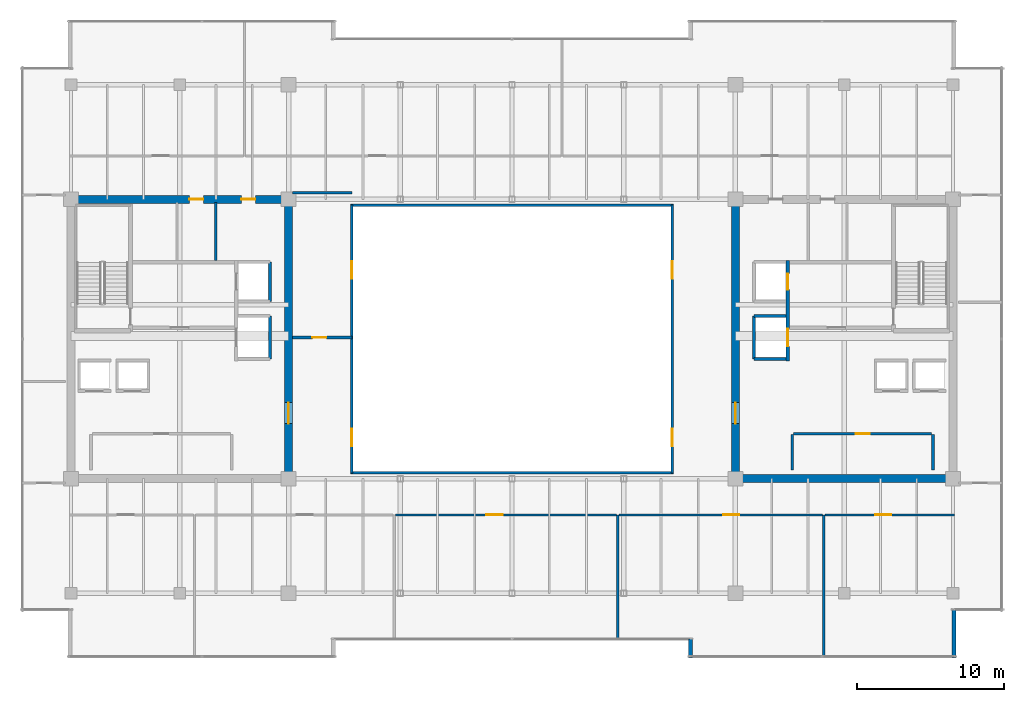
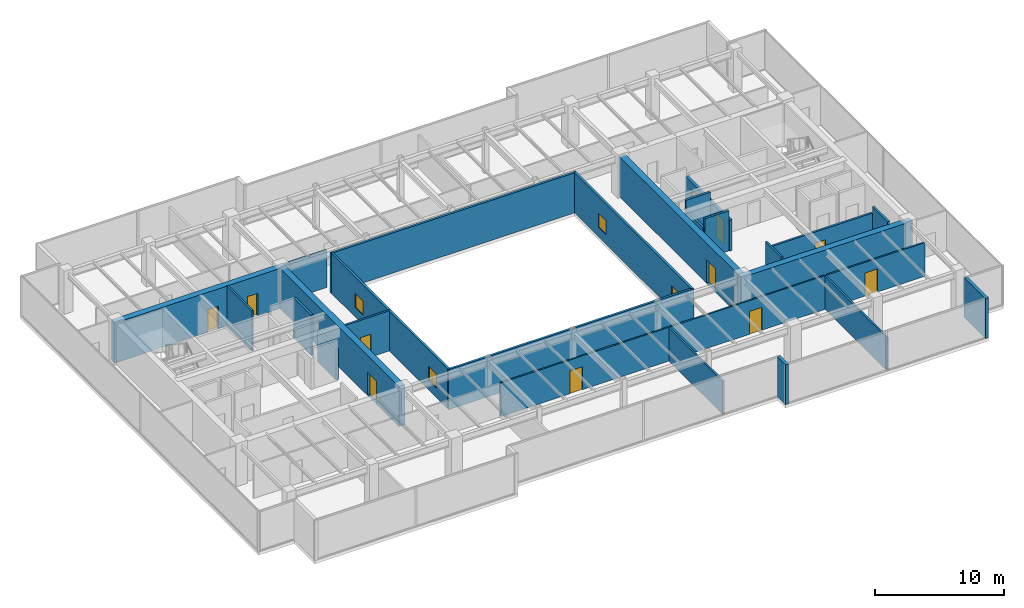
# One storey, part 29 of 33: 27 walls, 11 doors, 4 windows, 15 openings.
"""IFC4 building model written with IfcOpenShell, lengths in metres."""

import ifcopenshell
import ifcopenshell.guid

model = None  # the IFC model being written
_history = None  # IfcOwnerHistory: only IFC2X3 demands one
_inside = {}  # id of a spatial element -> (the spatial element, [elements in it])
_under = {}  # id of a project, library or spatial element -> (it, [spatial elements below it])
_declared = {}  # id of a project -> (the project, [libraries it declares])
_typed = {}  # id of a type object -> (the type object, [elements of that type])
_made_of = {}  # id of a material, layer set ... -> (it, [elements and type objects made of it])


def new_model(schema):
    """Start an empty IFC model of exactly this schema.

    Asked for "IFC4X3", IfcOpenShell would pick the latest addendum, in which some entities
    have other attributes; the version numbers below select the first issue.
    IFC2X3 requires an IfcOwnerHistory on every rooted entity: one is made here for all.
    """
    global model, _history
    if schema == "IFC4X3":
        model = ifcopenshell.file(schema_version=(4, 3, 0, 0))
    else:
        model = ifcopenshell.file(schema=schema)
    _inside.clear()
    _under.clear()
    _declared.clear()
    _typed.clear()
    _made_of.clear()
    _history = None
    if model.schema == "IFC2X3":
        org = make("IfcOrganization", Name="unknown")
        user = make(
            "IfcPersonAndOrganization",
            ThePerson=make("IfcPerson", FamilyName="unknown"),
            TheOrganization=org,
        )
        app = make(
            "IfcApplication",
            ApplicationDeveloper=org,
            Version="unknown",
            ApplicationFullName="unknown",
            ApplicationIdentifier="unknown",
        )
        _history = make(
            "IfcOwnerHistory",
            OwningUser=user,
            OwningApplication=app,
            ChangeAction="ADDED",
            CreationDate=0,
        )
    return model


def make(cls, **values):
    """One entity of the class cls with the attributes given. An attribute that is None is left unset."""
    return model.create_entity(
        cls, **{name: value for name, value in values.items() if value is not None}
    )


def rooted(cls, **values):
    """An entity with a GlobalId (a new one), such as an element, a storey or a relation."""
    return make(cls, GlobalId=ifcopenshell.guid.new(), OwnerHistory=_history, **values)


def si_unit(unit_type, name, prefix=None):
    """IfcSIUnit, for example si_unit("LENGTHUNIT", "METRE", prefix="MILLI")."""
    return make("IfcSIUnit", UnitType=unit_type, Prefix=prefix, Name=name)


def assignment(units):
    """IfcUnitAssignment: the units of a project."""
    return None if units is None else make("IfcUnitAssignment", Units=units)


def point(xyz):
    """IfcCartesianPoint."""
    return None if xyz is None else make("IfcCartesianPoint", Coordinates=xyz)


def direction(xyz):
    """IfcDirection."""
    return None if xyz is None else make("IfcDirection", DirectionRatios=xyz)


def frame(location, z_axis=None, x_axis=None):
    """IfcAxis2Placement3D, a coordinate frame: its origin and axes. An axis left out is left unset."""
    return make(
        "IfcAxis2Placement3D",
        Location=point(location),
        Axis=direction(z_axis),
        RefDirection=direction(x_axis),
    )


def frame_2d(location, x_axis=None):
    """IfcAxis2Placement2D, a coordinate frame in the plane: its origin and x axis."""
    return make(
        "IfcAxis2Placement2D", Location=point(location), RefDirection=direction(x_axis)
    )


def origin():
    """The frame at (0, 0, 0) with its axes left unset."""
    return frame((0.0, 0.0, 0.0))


def place(relative_to, where):
    """IfcLocalPlacement: puts the frame where relative to a parent placement (None: the world)."""
    return make(
        "IfcLocalPlacement", PlacementRelTo=relative_to, RelativePlacement=where
    )


def context(
    kind, dimensions, precision=None, world=None, true_north=None, identifier=None
):
    """IfcGeometricRepresentationContext, for example the 3D "Model" context."""
    return make(
        "IfcGeometricRepresentationContext",
        ContextIdentifier=identifier,
        ContextType=kind,
        CoordinateSpaceDimension=dimensions,
        Precision=precision,
        WorldCoordinateSystem=world,
        TrueNorth=true_north,
    )


def subcontext(parent, identifier, kind, view, scale=None):
    """IfcGeometricRepresentationSubContext, for example "Body" below "Model"."""
    return make(
        "IfcGeometricRepresentationSubContext",
        ContextIdentifier=identifier,
        ContextType=kind,
        ParentContext=parent,
        TargetScale=scale,
        TargetView=view,
    )


def project(units=None, contexts=None):
    """IfcProject with its units and contexts."""
    return rooted(
        "IfcProject",
        Name="project",
        RepresentationContexts=contexts,
        UnitsInContext=assignment(units),
    )


def spatial(cls, under=None, at=None, **own):
    """A site, building, storey or space (cls), placed at a placement, below another one or the project."""
    s = rooted(cls, ObjectPlacement=at, **own)
    if under is not None:
        _under.setdefault(under.id(), (under, []))[1].append(s)
    return s


def profile(cls, at=None, kind="AREA", **sizes):
    """A parametric profile (cls). Its sizes go by their IFC names, for example OverallWidth=200.0."""
    return make(cls, ProfileType=kind, Position=at, **sizes)


def rectangle(**sizes):
    """IfcRectangleProfileDef."""
    return profile("IfcRectangleProfileDef", **sizes)


def extrude(swept, where, along, depth):
    """IfcExtrudedAreaSolid: the profile swept, set in the frame where, extruded along a direction by depth."""
    return make(
        "IfcExtrudedAreaSolid",
        SweptArea=swept,
        Position=where,
        ExtrudedDirection=direction(along),
        Depth=depth,
    )


def shape(context_of_items, identifier, shape_type, items):
    """IfcShapeRepresentation: the items that make up one representation, for example the "Body"."""
    return make(
        "IfcShapeRepresentation",
        ContextOfItems=context_of_items,
        RepresentationIdentifier=identifier,
        RepresentationType=shape_type,
        Items=items,
    )


def source(mapping_origin, context_of_items, identifier, shape_type, items):
    """IfcRepresentationMap: a shape defined once, which mapped items show again and again."""
    return make(
        "IfcRepresentationMap",
        MappingOrigin=mapping_origin,
        MappedRepresentation=shape(context_of_items, identifier, shape_type, items),
    )


def transform(
    local_origin,
    x_axis=None,
    y_axis=None,
    z_axis=None,
    scale=None,
    scale2=None,
    scale3=None,
    uniform=True,
):
    """IfcCartesianTransformationOperator3D, or its non-uniform kind. x_axis, y_axis, z_axis: its Axis1, 2, 3."""
    if uniform:
        return make(
            "IfcCartesianTransformationOperator3D",
            Axis1=direction(x_axis),
            Axis2=direction(y_axis),
            LocalOrigin=point(local_origin),
            Scale=scale,
            Axis3=direction(z_axis),
        )
    return make(
        "IfcCartesianTransformationOperator3DnonUniform",
        Axis1=direction(x_axis),
        Axis2=direction(y_axis),
        LocalOrigin=point(local_origin),
        Scale=scale,
        Axis3=direction(z_axis),
        Scale2=scale2,
        Scale3=scale3,
    )


def mapped(mapping_source, mapping_target):
    """IfcMappedItem: shows the shape of a source again, moved by a transform."""
    return make(
        "IfcMappedItem", MappingSource=mapping_source, MappingTarget=mapping_target
    )


def material(Name=None, Category=None):
    """IfcMaterial."""
    return make("IfcMaterial", Name=Name, Category=Category)


def layer(
    of_material, thickness, ventilated=None, Name=None, Category=None, Priority=None
):
    """IfcMaterialLayer: one layer of a wall or slab, of a material (None: an air gap)."""
    return make(
        "IfcMaterialLayer",
        Material=of_material,
        LayerThickness=thickness,
        IsVentilated=ventilated,
        Name=Name,
        Category=Category,
        Priority=Priority,
    )


def layer_set(layers, Name=None):
    """IfcMaterialLayerSet."""
    return make("IfcMaterialLayerSet", MaterialLayers=layers, LayerSetName=Name)


def made_of(thing, what):
    """Note that an element or type object is made of a material, layer set ...; save() writes the relation."""
    if what is not None:
        _made_of.setdefault(what.id(), (what, []))[1].append(thing)
    return thing


def type_object(cls, material=None, **own):
    """A type object (cls), such as IfcWallType, which elements share."""
    return made_of(rooted(cls, **own), material)


def type_shapes(of_type, sources):
    """Give a type object the sources (RepresentationMaps) that its elements show as mapped items."""
    of_type.RepresentationMaps = sources


def element(
    cls,
    number,
    at=None,
    inside=None,
    cuts=None,
    type_object=None,
    material=None,
    context=None,
    identifier="Body",
    shape_type=None,
    held_by="IfcProductDefinitionShape",
    body=None,
    shapes=None,
    **own,
):
    """One element of the class cls, such as IfcWall. Its Tag is "e" and its number.

    at: its placement. inside: the storey or other place that contains it. cuts: it is an
    opening in that element (IfcRelVoidsElement). A single representation is given by context,
    identifier, shape_type and body (its items); several are given by shapes. held_by: the class
    of the entity that holds the representations. save() writes the other relations.
    """
    e = rooted(cls, Tag="e%d" % number, ObjectPlacement=at, **own)
    if body is not None:
        shapes = [shape(context, identifier, shape_type, body)]
    if shapes is not None:
        e.Representation = make(held_by, Representations=shapes)
    if inside is not None:
        _inside.setdefault(inside.id(), (inside, []))[1].append(e)
    if cuts is not None:
        rooted(
            "IfcRelVoidsElement", RelatingBuildingElement=cuts, RelatedOpeningElement=e
        )
    if type_object is not None:
        _typed.setdefault(type_object.id(), (type_object, []))[1].append(e)
    return made_of(e, material)


def fill(opening, filler):
    """IfcRelFillsElement: the door or window that sits in an opening."""
    return rooted(
        "IfcRelFillsElement",
        RelatingOpeningElement=opening,
        RelatedBuildingElement=filler,
    )


def aggregate(whole, parts):
    """IfcRelAggregates: a whole, such as a stair, and the parts it consists of."""
    return rooted("IfcRelAggregates", RelatingObject=whole, RelatedObjects=parts)


def save(model, path):
    """Write the relations noted so far, then the file.

    IfcRelAggregates (storeys below a building ...), IfcRelContainedInSpatialStructure (elements
    in a storey), IfcRelDefinesByType, IfcRelAssociatesMaterial and IfcRelDeclares: one each for
    every whole, place, type object, material and project.
    """
    for whole, parts in _under.values():
        aggregate(whole, parts)
    for where, things in _inside.values():
        rooted(
            "IfcRelContainedInSpatialStructure",
            RelatedElements=things,
            RelatingStructure=where,
        )
    for kind, things in _typed.values():
        rooted("IfcRelDefinesByType", RelatedObjects=things, RelatingType=kind)
    for what, things in _made_of.values():
        rooted("IfcRelAssociatesMaterial", RelatedObjects=things, RelatingMaterial=what)
    for by, libraries in _declared.values():
        rooted("IfcRelDeclares", RelatingContext=by, RelatedDefinitions=libraries)
    model.write(path)


model = new_model("IFC4")

# Units and contexts
model_context = context("Model", 3, precision=1e-05, world=origin(), true_north=direction((0.0, 1.0)))
body_context = subcontext(model_context, "Body", "Model", "MODEL_VIEW")
ifc_project = project(units=[si_unit("LENGTHUNIT", "METRE"), si_unit("AREAUNIT", "SQUARE_METRE"), si_unit("VOLUMEUNIT", "CUBIC_METRE"), si_unit("PLANEANGLEUNIT", "RADIAN"), si_unit("MASSUNIT", "GRAM", prefix="KILO")], contexts=[model_context])

# Site, building, storey
site_placement = place(None, origin())
site = spatial("IfcSite", under=ifc_project, at=site_placement, CompositionType="ELEMENT")
building_placement = place(site_placement, origin())
building = spatial("IfcBuilding", under=site, at=building_placement, Name="Haelvirn Gate Laboratories", CompositionType="ELEMENT")
storey_placement = place(building_placement, frame((0.0, 0.0, 279.300048828125)))
storey = spatial("IfcBuildingStorey", under=building, at=storey_placement, Name="L67", CompositionType="ELEMENT", Elevation=279.300048828125)

# Walls
ifc_material_1 = material(Name="Thermally-broken bronze aluminium rainscreen & mineral wool", Category="aluminium")
ifc_layer_1 = layer(ifc_material_1, 0.280029296875, Name="EW-TERR-280")
ifc_layer_set_1 = layer_set([ifc_layer_1], Name="Thermally-broken bronze aluminium rainscreen & mineral wool")
wall_type_1 = type_object("IfcWallType", Name="EW-TERR-280", PredefinedType="STANDARD", material=ifc_layer_set_1)
wall_1_placement = place(storey_placement, frame((49.5400390625, 3.89306640625, 0.0), z_axis=(0.0, 0.0, 1.0), x_axis=(0.0, -1.0, 0.0)))
element("IfcWall", 1, at=wall_1_placement, inside=storey, type_object=wall_type_1, Name="L67 Atrium Recess Bronze Return Wall 03", PredefinedType="STANDARD", context=body_context, shape_type="SweptSolid", body=[
    extrude(rectangle(XDim=1.29296875, YDim=0.280029296875, at=frame_2d((0.646484375, 0.0))), origin(), (0.0, 0.0, 1.0), 3.800048828125),
])
wall_2_placement = place(storey_placement, frame((67.4599609375, 2.60009765625, 0.0), z_axis=(0.0, 0.0, 1.0), x_axis=(0.0, 1.0, 0.0)))
element("IfcWall", 2, at=wall_2_placement, inside=storey, type_object=wall_type_1, Name="L67 Atrium Recess Bronze Return Wall 05", PredefinedType="STANDARD", context=body_context, shape_type="SweptSolid", body=[
    extrude(rectangle(XDim=3.287841796875, YDim=0.280029296875, at=frame_2d((1.64404296875, 0.0))), origin(), (0.0, 0.0, 1.0), 3.800048828125),
])
ifc_material_2 = material(Name="Double-layer acoustic gypsum laboratory partition", Category="gypsum")
ifc_layer_2 = layer(ifc_material_2, 0.159912109375, Name="IW-ACOUST-160")
ifc_layer_set_2 = layer_set([ifc_layer_2], Name="Double-layer acoustic gypsum laboratory partition")
wall_type_2 = type_object("IfcWallType", Name="IW-ACOUST-160", PredefinedType="PARTITIONING", material=ifc_layer_set_2)
wall_3_placement = place(storey_placement, frame((44.60009765625, 3.909912109375, 0.0), z_axis=(0.0, 0.0, 1.0), x_axis=(0.0, 1.0, 0.0)))
element("IfcWall", 3, at=wall_3_placement, inside=storey, type_object=wall_type_2, Name="L67 Interior Wall IW-L67-SDIV-03", PredefinedType="PARTITIONING", context=body_context, shape_type="SweptSolid", body=[
    extrude(rectangle(XDim=8.43017578125, YDim=0.159912109375, at=frame_2d((4.215087890625, 0.0))), origin(), (0.0, 0.0, 1.0), 3.135009765625),
])
wall_4_placement = place(storey_placement, frame((58.60009765625, 2.7099609375, 0.0), z_axis=(0.0, 0.0, 1.0), x_axis=(0.0, 1.0, 0.0)))
element("IfcWall", 4, at=wall_4_placement, inside=storey, type_object=wall_type_2, Name="L67 Interior Wall IW-L67-SDIV-04", PredefinedType="PARTITIONING", context=body_context, shape_type="SweptSolid", body=[
    extrude(rectangle(XDim=9.630126953125, YDim=0.159912109375, at=frame_2d((4.81494140625, 0.0))), origin(), (0.0, 0.0, 1.0), 3.135009765625),
])
ifc_material_3 = material(Name="Fire-rated acoustic gypsum board partition", Category="gypsum")
ifc_layer_3 = layer(ifc_material_3, 0.175048828125, Name="IW-ACOUST-180")
ifc_layer_set_3 = layer_set([ifc_layer_3], Name="Fire-rated acoustic gypsum board partition")
wall_type_3 = type_object("IfcWallType", Name="IW-ACOUST-180", PredefinedType="PARTITIONING", material=ifc_layer_set_3)
wall_5_placement = place(storey_placement, frame((22.47509765625, 34.260009765625, 0.0), z_axis=(0.0, 0.0, 1.0), x_axis=(1.0, 0.0, 0.0)))
element("IfcWall", 5, at=wall_5_placement, inside=storey, type_object=wall_type_3, Name="L67 Interior Wall IW-L67-WPOD-N", PredefinedType="PARTITIONING", context=body_context, shape_type="SweptSolid", body=[
    extrude(rectangle(XDim=4.02490234375, YDim=0.175048828125, at=frame_2d((2.012451171875, 0.0))), origin(), (0.0, 0.0, 1.0), 3.534912109375),
])

# Wall, opening, door
wall_6_placement = place(storey_placement, frame((22.47509765625, 24.39990234375, 0.0), z_axis=(0.0, 0.0, 1.0), x_axis=(1.0, 0.0, 0.0)))
wall_6 = element("IfcWall", 6, at=wall_6_placement, inside=storey, type_object=wall_type_3, Name="L67 Interior Wall IW-L67-WPOD-S", PredefinedType="PARTITIONING", context=body_context, shape_type="SweptSolid", body=[
    extrude(rectangle(XDim=4.02490234375, YDim=0.175048828125, at=frame_2d((2.012451171875, 0.0))), origin(), (0.0, 0.0, 1.0), 3.800048828125),
])
opening_1_placement = place(wall_6_placement, frame((1.35009765625, 0.0, 0.0)))
opening_1 = element("IfcOpeningElement", 7, at=opening_1_placement, cuts=wall_6, Name="Opening FD4", PredefinedType="OPENING", context=body_context, shape_type="SweptSolid", body=[
    extrude(rectangle(XDim=0.949951171875, YDim=2.14990234375, at=frame_2d((0.47509765625, 1.074951171875))), frame((0.0, 0.09765625, 0.0), z_axis=(0.0, -1.0, 0.0), x_axis=(1.0, 0.0, 0.0)), (0.0, 0.0, 1.0), 0.195068359375),
])
ifc_material_4 = material(Name="Fire-rated steel SM355 core service door", Category="steel")
door_type_1 = type_object("IfcDoorType", Name="DR-FD-950", OperationType="NOTDEFINED", PredefinedType="DOOR", material=ifc_material_4)
shared_shape_1 = source(origin(), body_context, "Body", "SweptSolid", [
    extrude(rectangle(XDim=0.949951171875, YDim=2.14990234375, at=frame_2d((0.47509765625, 1.074951171875))), frame((0.0, 0.02490234375, 0.0), z_axis=(0.0, -1.0, 0.0), x_axis=(1.0, 0.0, 0.0)), (0.0, 0.0, 1.0), 0.050048828125),
])
type_shapes(door_type_1, [shared_shape_1])
door_1_placement = place(opening_1_placement, origin())
door_1 = element("IfcDoor", 8, at=door_1_placement, inside=storey, type_object=door_type_1, Name="L67 High-Zone Computational Suite Door", OperationType="SINGLE_SWING_RIGHT", OverallHeight=2.14990234375, OverallWidth=0.949951171875, PredefinedType="DOOR", context=body_context, shape_type="MappedRepresentation", body=[
    mapped(shared_shape_1, transform((0.0, 0.0, 0.0), scale=1.0)),
])
fill(opening_1, door_1)

# Wall, openings, windows
ifc_material_5 = material(Name="Tempered fire-rated borosilicate glass & anodised aluminium", Category="aluminium")
ifc_layer_4 = layer(ifc_material_5, 0.195068359375, Name="IW-GLAZ-200")
ifc_layer_set_4 = layer_set([ifc_layer_4], Name="Tempered fire-rated borosilicate glass & anodised aluminium")
wall_type_4 = type_object("IfcWallType", Name="IW-GLAZ-200", PredefinedType="SOLIDWALL", material=ifc_layer_set_4)
wall_7_placement = place(storey_placement, frame((26.5, 15.199951171875, 0.0), z_axis=(0.0, 0.0, 1.0), x_axis=(0.0, 1.0, 0.0)))
wall_7 = element("IfcWall", 9, at=wall_7_placement, inside=storey, type_object=wall_type_4, Name="L67 Interior Wall IW-L67-ATRIUM-W", PredefinedType="SOLIDWALL", context=body_context, shape_type="SweptSolid", body=[
    extrude(rectangle(XDim=18.199951171875, YDim=0.195068359375, at=frame_2d((9.10009765625, 0.0))), origin(), (0.0, 0.0, 1.0), 3.800048828125),
])
opening_2_placement = place(wall_7_placement, frame((1.800048828125, 0.0, 0.89990234375)))
opening_2 = element("IfcOpeningElement", 10, at=opening_2_placement, cuts=wall_7, Name="Opening W6", PredefinedType="OPENING", context=body_context, shape_type="SweptSolid", body=[
    extrude(rectangle(XDim=1.199951171875, YDim=1.35009765625, at=frame_2d((0.60009765625, 0.675048828125))), frame((0.0, 0.107421875, 0.0), z_axis=(0.0, -1.0, 0.0), x_axis=(1.0, 0.0, 0.0)), (0.0, 0.0, 1.0), 0.215087890625),
])
opening_3_placement = place(wall_7_placement, frame((13.199951171875, 0.0, 0.89990234375)))
opening_3 = element("IfcOpeningElement", 11, at=opening_3_placement, cuts=wall_7, Name="Opening W6", PredefinedType="OPENING", context=body_context, shape_type="SweptSolid", body=[
    extrude(rectangle(XDim=1.199951171875, YDim=1.35009765625, at=frame_2d((0.60009765625, 0.675048828125))), frame((0.0, 0.107421875, 0.0), z_axis=(0.0, -1.0, 0.0), x_axis=(1.0, 0.0, 0.0)), (0.0, 0.0, 1.0), 0.215087890625),
])
ifc_material_6 = material(Name="Fire-rated EI 120 borosilicate atrium vision glazing", Category="glass")
window_type = type_object("IfcWindowType", Name="WN-ATR-1200", PartitioningType="SINGLE_PANEL", PredefinedType="WINDOW", material=ifc_material_6)
shared_shape_2 = source(origin(), body_context, "Body", "SweptSolid", [
    extrude(rectangle(XDim=1.199951171875, YDim=1.35009765625, at=frame_2d((0.60009765625, 0.675048828125))), frame((0.0, 0.030029296875, 0.0), z_axis=(0.0, -1.0, 0.0), x_axis=(1.0, 0.0, 0.0)), (0.0, 0.0, 1.0), 0.06005859375),
])
type_shapes(window_type, [shared_shape_2])
window_1_placement = place(opening_2_placement, origin())
window_1 = element("IfcWindow", 12, at=window_1_placement, inside=storey, type_object=window_type, Name="L67 Atrium Observation Window 1", OverallHeight=1.35009765625, OverallWidth=1.199951171875, PartitioningType="SINGLE_PANEL", PredefinedType="WINDOW", context=body_context, shape_type="MappedRepresentation", body=[
    mapped(shared_shape_2, transform((0.0, 0.0, 0.0), scale=1.0)),
])
fill(opening_2, window_1)
window_2_placement = place(opening_3_placement, origin())
window_2 = element("IfcWindow", 13, at=window_2_placement, inside=storey, type_object=window_type, Name="L67 Atrium Observation Window 2", OverallHeight=1.35009765625, OverallWidth=1.199951171875, PartitioningType="SINGLE_PANEL", PredefinedType="WINDOW", context=body_context, shape_type="MappedRepresentation", body=[
    mapped(shared_shape_2, transform((0.0, 0.0, 0.0), scale=1.0)),
])
fill(opening_3, window_2)

wall_8_placement = place(storey_placement, frame((48.300048828125, 15.199951171875, 0.0), z_axis=(0.0, 0.0, 1.0), x_axis=(0.0, 1.0, 0.0)))
wall_8 = element("IfcWall", 14, at=wall_8_placement, inside=storey, type_object=wall_type_4, Name="L67 Interior Wall IW-L67-ATRIUM-E", PredefinedType="SOLIDWALL", context=body_context, shape_type="SweptSolid", body=[
    extrude(rectangle(XDim=18.199951171875, YDim=0.195068359375, at=frame_2d((9.10009765625, 0.0))), origin(), (0.0, 0.0, 1.0), 3.800048828125),
])
opening_4_placement = place(wall_8_placement, frame((1.800048828125, 0.0, 0.89990234375)))
opening_4 = element("IfcOpeningElement", 15, at=opening_4_placement, cuts=wall_8, Name="Opening W6", PredefinedType="OPENING", context=body_context, shape_type="SweptSolid", body=[
    extrude(rectangle(XDim=1.199951171875, YDim=1.35009765625, at=frame_2d((0.60009765625, 0.675048828125))), frame((0.0, 0.107421875, 0.0), z_axis=(0.0, -1.0, 0.0), x_axis=(1.0, 0.0, 0.0)), (0.0, 0.0, 1.0), 0.215087890625),
])
opening_5_placement = place(wall_8_placement, frame((13.199951171875, 0.0, 0.89990234375)))
opening_5 = element("IfcOpeningElement", 16, at=opening_5_placement, cuts=wall_8, Name="Opening W6", PredefinedType="OPENING", context=body_context, shape_type="SweptSolid", body=[
    extrude(rectangle(XDim=1.199951171875, YDim=1.35009765625, at=frame_2d((0.60009765625, 0.675048828125))), frame((0.0, 0.107421875, 0.0), z_axis=(0.0, -1.0, 0.0), x_axis=(1.0, 0.0, 0.0)), (0.0, 0.0, 1.0), 0.215087890625),
])
window_3_placement = place(opening_4_placement, origin())
window_3 = element("IfcWindow", 17, at=window_3_placement, inside=storey, type_object=window_type, Name="L67 Atrium Observation Window 1", OverallHeight=1.35009765625, OverallWidth=1.199951171875, PartitioningType="SINGLE_PANEL", PredefinedType="WINDOW", context=body_context, shape_type="MappedRepresentation", body=[
    mapped(shared_shape_2, transform((0.0, 0.0, 0.0), scale=1.0)),
])
fill(opening_4, window_3)
window_4_placement = place(opening_5_placement, origin())
window_4 = element("IfcWindow", 18, at=window_4_placement, inside=storey, type_object=window_type, Name="L67 Atrium Observation Window 2", OverallHeight=1.35009765625, OverallWidth=1.199951171875, PartitioningType="SINGLE_PANEL", PredefinedType="WINDOW", context=body_context, shape_type="MappedRepresentation", body=[
    mapped(shared_shape_2, transform((0.0, 0.0, 0.0), scale=1.0)),
])
fill(opening_5, window_4)

# Walls
for number, where, z_axis, x_axis, name in (
    (19, (26.39990234375, 15.199951171875, 0.0), (0.0, 0.0, 1.0), (1.0, 0.0, 0.0), "L67 Interior Wall IW-L67-ATRIUM-S"),
    (20, (26.39990234375, 33.39990234375, 0.0), (0.0, 0.0, 1.0), (1.0, 0.0, 0.0), "L67 Interior Wall IW-L67-ATRIUM-N"),
):
    element("IfcWall", number, at=place(storey_placement, frame(where, z_axis=z_axis, x_axis=x_axis)), inside=storey, type_object=wall_type_4, Name=name, PredefinedType="SOLIDWALL", context=body_context, shape_type="SweptSolid", body=[
        extrude(rectangle(XDim=22.0, YDim=0.195068359375, at=frame_2d((11.0, 0.0))), origin(), (0.0, 0.0, 1.0), 3.800048828125),
    ])

# Wall, opening, door
ifc_material_7 = material(Name="Acoustic mineral-wool gypsum board partition", Category="gypsum")
ifc_layer_5 = layer(ifc_material_7, 0.139892578125, Name="IW-PART-140")
ifc_layer_set_5 = layer_set([ifc_layer_5], Name="Acoustic mineral-wool gypsum board partition")
wall_type_5 = type_object("IfcWallType", Name="IW-PART-140", PredefinedType="PARTITIONING", material=ifc_layer_set_5)
wall_9_placement = place(storey_placement, frame((29.47998046875, 12.340087890625, 0.0), z_axis=(0.0, 0.0, 1.0), x_axis=(1.0, 0.0, 0.0)))
wall_9 = element("IfcWall", 21, at=wall_9_placement, inside=storey, type_object=wall_type_5, Name="L67 Interior Wall IW-L67-SCORR-03", PredefinedType="PARTITIONING", context=body_context, shape_type="SweptSolid", body=[
    extrude(rectangle(XDim=15.0400390625, YDim=0.139892578125, at=frame_2d((7.52001953125, 0.0))), origin(), (0.0, 0.0, 1.0), 3.197021484375),
])
opening_6_placement = place(wall_9_placement, frame((6.175537109375, 0.0, 0.0)))
opening_6 = element("IfcOpeningElement", 22, at=opening_6_placement, cuts=wall_9, Name="Opening D1", PredefinedType="OPENING", context=body_context, shape_type="SweptSolid", body=[
    extrude(rectangle(XDim=1.10009765625, YDim=2.179931640625, at=frame_2d((0.550048828125, 1.08984375))), frame((0.0, 0.080078125, 0.0), z_axis=(0.0, -1.0, 0.0), x_axis=(1.0, 0.0, 0.0)), (0.0, 0.0, 1.0), 0.159912109375),
])
ifc_material_8 = material(Name="Vision-panel acoustic solid-core timber lab door", Category="wood")
door_type_2 = type_object("IfcDoorType", Name="DR-LAB-1100", OperationType="NOTDEFINED", PredefinedType="DOOR", material=ifc_material_8)
shared_shape_3 = source(origin(), body_context, "Body", "SweptSolid", [
    extrude(rectangle(XDim=1.10009765625, YDim=2.179931640625, at=frame_2d((0.550048828125, 1.08984375))), frame((0.0, 0.02490234375, 0.0), z_axis=(0.0, -1.0, 0.0), x_axis=(1.0, 0.0, 0.0)), (0.0, 0.0, 1.0), 0.050048828125),
])
type_shapes(door_type_2, [shared_shape_3])
door_2_placement = place(opening_6_placement, origin())
door_2 = element("IfcDoor", 23, at=door_2_placement, inside=storey, type_object=door_type_2, Name="L67 Scientific Reference Library Door S3", OperationType="SINGLE_SWING_RIGHT", OverallHeight=2.179931640625, OverallWidth=1.10009765625, PredefinedType="DOOR", context=body_context, shape_type="MappedRepresentation", body=[
    mapped(shared_shape_3, transform((0.0, 0.0, 0.0), scale=1.0)),
])
fill(opening_6, door_2)

wall_10_placement = place(storey_placement, frame((44.679931640625, 12.340087890625, 0.0), z_axis=(0.0, 0.0, 1.0), x_axis=(1.0, 0.0, 0.0)))
wall_10 = element("IfcWall", 24, at=wall_10_placement, inside=storey, type_object=wall_type_5, Name="L67 Interior Wall IW-L67-SCORR-04", PredefinedType="PARTITIONING", context=body_context, shape_type="SweptSolid", body=[
    extrude(rectangle(XDim=13.840087890625, YDim=0.139892578125, at=frame_2d((6.919921875, 0.0))), origin(), (0.0, 0.0, 1.0), 3.197021484375),
])
opening_7_placement = place(wall_10_placement, frame((7.09228515625, 0.0, 0.0)))
opening_7 = element("IfcOpeningElement", 25, at=opening_7_placement, cuts=wall_10, Name="Opening D1", PredefinedType="OPENING", context=body_context, shape_type="SweptSolid", body=[
    extrude(rectangle(XDim=1.10009765625, YDim=2.179931640625, at=frame_2d((0.550048828125, 1.08984375))), frame((0.0, 0.080078125, 0.0), z_axis=(0.0, -1.0, 0.0), x_axis=(1.0, 0.0, 0.0)), (0.0, 0.0, 1.0), 0.159912109375),
])
door_3_placement = place(opening_7_placement, origin())
door_3 = element("IfcDoor", 26, at=door_3_placement, inside=storey, type_object=door_type_2, Name="L67 Instrumentation Prototyping Workshop Door S4", OperationType="SINGLE_SWING_LEFT", OverallHeight=2.179931640625, OverallWidth=1.10009765625, PredefinedType="DOOR", context=body_context, shape_type="MappedRepresentation", body=[
    mapped(shared_shape_3, transform((0.0, 0.0, 0.0), scale=1.0)),
])
fill(opening_7, door_3)

wall_11_placement = place(storey_placement, frame((58.679931640625, 12.340087890625, 0.0), z_axis=(0.0, 0.0, 1.0), x_axis=(1.0, 0.0, 0.0)))
wall_11 = element("IfcWall", 27, at=wall_11_placement, inside=storey, type_object=wall_type_5, Name="L67 Interior Wall IW-L67-SCORR-05", PredefinedType="PARTITIONING", context=body_context, shape_type="SweptSolid", body=[
    extrude(rectangle(XDim=8.81005859375, YDim=0.139892578125, at=frame_2d((4.405029296875, 0.0))), origin(), (0.0, 0.0, 1.0), 3.197021484375),
])
opening_8_placement = place(wall_11_placement, frame((3.434326171875, 0.0, 0.0)))
opening_8 = element("IfcOpeningElement", 28, at=opening_8_placement, cuts=wall_11, Name="Opening D1", PredefinedType="OPENING", context=body_context, shape_type="SweptSolid", body=[
    extrude(rectangle(XDim=1.10009765625, YDim=2.179931640625, at=frame_2d((0.550048828125, 1.08984375))), frame((0.0, 0.080078125, 0.0), z_axis=(0.0, -1.0, 0.0), x_axis=(1.0, 0.0, 0.0)), (0.0, 0.0, 1.0), 0.159912109375),
])
door_4_placement = place(opening_8_placement, origin())
door_4 = element("IfcDoor", 29, at=door_4_placement, inside=storey, type_object=door_type_2, Name="L67 Researcher Quiet Study Door S5", OperationType="SINGLE_SWING_RIGHT", OverallHeight=2.179931640625, OverallWidth=1.10009765625, PredefinedType="DOOR", context=body_context, shape_type="MappedRepresentation", body=[
    mapped(shared_shape_3, transform((0.0, 0.0, 0.0), scale=1.0)),
])
fill(opening_8, door_4)

# Wall
ifc_material_9 = material(Name="Cement-board restroom plumbing chase wall", Category="gypsum")
ifc_layer_6 = layer(ifc_material_9, 0.155029296875, Name="IW-PLUMB-160")
ifc_layer_set_6 = layer_set([ifc_layer_6], Name="Cement-board restroom plumbing chase wall")
wall_type_6 = type_object("IfcWallType", Name="IW-PLUMB-160", PredefinedType="PLUMBINGWALL", material=ifc_layer_set_6)
wall_12_placement = place(storey_placement, frame((17.239990234375, 29.64990234375, 0.0), z_axis=(0.0, 0.0, 1.0), x_axis=(0.0, 1.0, 0.0)))
element("IfcWall", 30, at=wall_12_placement, inside=storey, type_object=wall_type_6, Name="L67 Interior Wall IW-L67-W-CDIV-1", PredefinedType="PLUMBINGWALL", context=body_context, shape_type="SweptSolid", body=[
    extrude(rectangle(XDim=3.93017578125, YDim=0.155029296875, at=frame_2d((1.965087890625, 0.0))), origin(), (0.0, 0.0, 1.0), 3.800048828125),
])

# Wall, opening, door
ifc_material_10 = material(Name="Concrete C40/50", Category="concrete")
ifc_layer_7 = layer(ifc_material_10, 0.179931640625, Name="IW-SHAFT-180")
ifc_layer_set_7 = layer_set([ifc_layer_7], Name="Concrete C40/50")
wall_type_7 = type_object("IfcWallType", Name="IW-SHAFT-180", PredefinedType="SOLIDWALL", material=ifc_layer_set_7)
wall_13_placement = place(storey_placement, frame((56.550048828125, 17.85009765625, 0.0), z_axis=(0.0, 0.0, 1.0), x_axis=(1.0, 0.0, 0.0)))
wall_13 = element("IfcWall", 31, at=wall_13_placement, inside=storey, type_object=wall_type_7, Name="L67 Interior Wall IW-L67-E-FREED-HN-1", PredefinedType="SOLIDWALL", context=body_context, shape_type="SweptSolid", body=[
    extrude(rectangle(XDim=9.39990234375, YDim=0.179931640625, at=frame_2d((4.699951171875, 0.0))), origin(), (0.0, 0.0, 1.0), 3.197021484375),
])
opening_9_placement = place(wall_13_placement, frame((4.22509765625, 0.0, 0.0)))
opening_9 = element("IfcOpeningElement", 32, at=opening_9_placement, cuts=wall_13, Name="Opening FD4", PredefinedType="OPENING", context=body_context, shape_type="SweptSolid", body=[
    extrude(rectangle(XDim=0.949951171875, YDim=2.14990234375, at=frame_2d((0.47509765625, 1.074951171875))), frame((0.0, 0.10009765625, 0.0), z_axis=(0.0, -1.0, 0.0), x_axis=(1.0, 0.0, 0.0)), (0.0, 0.0, 1.0), 0.199951171875),
])
door_5_placement = place(opening_9_placement, origin())
door_5 = element("IfcDoor", 33, at=door_5_placement, inside=storey, type_object=door_type_1, Name="L67 Core Metrology & Calibration Laboratory Door", OperationType="SINGLE_SWING_LEFT", OverallHeight=2.14990234375, OverallWidth=0.949951171875, PredefinedType="DOOR", context=body_context, shape_type="MappedRepresentation", body=[
    mapped(shared_shape_1, transform((0.0, 0.0, 0.0), scale=1.0)),
])
fill(opening_9, door_5)

# Walls
for number, where, z_axis, x_axis, name in (
    (34, (56.4599609375, 15.39990234375, 0.0), (0.0, 0.0, 1.0), (0.0, 1.0, 0.0), "L67 Interior Wall IW-L67-E-FREED-HE-1"),
    (35, (66.0400390625, 15.39990234375, 0.0), (0.0, 0.0, 1.0), (0.0, 1.0, 0.0), "L67 Interior Wall IW-L67-E-FREED-HW-1"),
):
    element("IfcWall", number, at=place(storey_placement, frame(where, z_axis=z_axis, x_axis=x_axis)), inside=storey, type_object=wall_type_7, Name=name, PredefinedType="SOLIDWALL", context=body_context, shape_type="SweptSolid", body=[
        extrude(rectangle(XDim=2.400146484375, YDim=0.179931640625, at=frame_2d((1.2001953125, 0.0))), origin(), (0.0, 0.0, 1.0), 3.800048828125),
    ])
ifc_layer_8 = layer(ifc_material_10, 0.199951171875, Name="IW-SHAFT-200")
ifc_layer_set_8 = layer_set([ifc_layer_8], Name="Concrete C40/50")
wall_type_8 = type_object("IfcWallType", Name="IW-SHAFT-200", PredefinedType="SOLIDWALL", material=ifc_layer_set_8)
wall_14_placement = place(storey_placement, frame((20.949951171875, 26.85009765625, 0.0), z_axis=(0.0, 0.0, 1.0), x_axis=(0.0, 1.0, 0.0)))
element("IfcWall", 36, at=wall_14_placement, inside=storey, type_object=wall_type_8, Name="L67 Interior Wall IW-L67-FL1-BK", PredefinedType="SOLIDWALL", context=body_context, shape_type="SweptSolid", body=[
    extrude(rectangle(XDim=2.699951171875, YDim=0.199951171875, at=frame_2d((1.35009765625, 0.0))), origin(), (0.0, 0.0, 1.0), 3.800048828125),
])
for number, where, z_axis, x_axis, name in (
    (37, (20.949951171875, 22.949951171875, 0.0), (0.0, 0.0, 1.0), (0.0, 1.0, 0.0), "L67 Interior Wall IW-L67-SL1-BK"),
    (38, (53.85009765625, 22.949951171875, 0.0), (0.0, 0.0, 1.0), (0.0, 1.0, 0.0), "L67 Interior Wall IW-L67-SL2-BK"),
):
    element("IfcWall", number, at=place(storey_placement, frame(where, z_axis=z_axis, x_axis=x_axis)), inside=storey, type_object=wall_type_8, Name=name, PredefinedType="SOLIDWALL", context=body_context, shape_type="SweptSolid", body=[
        extrude(rectangle(XDim=2.900146484375, YDim=0.199951171875, at=frame_2d((1.4501953125, 0.0))), origin(), (0.0, 0.0, 1.0), 2.93505859375),
    ])
for number, where, z_axis, x_axis, name in (
    (39, (53.85009765625, 25.85009765625, 0.0), (0.0, 0.0, 1.0), (1.0, 0.0, 0.0), "L67 Interior Wall IW-L67-SL2-N"),
    (40, (53.85009765625, 22.949951171875, 0.0), (0.0, 0.0, 1.0), (1.0, 0.0, 0.0), "L67 Interior Wall IW-L67-SL2-S"),
):
    element("IfcWall", number, at=place(storey_placement, frame(where, z_axis=z_axis, x_axis=x_axis)), inside=storey, type_object=wall_type_8, Name=name, PredefinedType="SOLIDWALL", context=body_context, shape_type="SweptSolid", body=[
        extrude(rectangle(XDim=2.18994140625, YDim=0.199951171875, at=frame_2d((1.094970703125, 0.0))), origin(), (0.0, 0.0, 1.0), 3.800048828125),
    ])

# Wall, openings, doors
ifc_layer_9 = layer(ifc_material_10, 0.239990234375, Name="IW-SHAFT-240")
ifc_layer_set_9 = layer_set([ifc_layer_9], Name="Concrete C40/50")
wall_type_9 = type_object("IfcWallType", Name="IW-SHAFT-240", PredefinedType="SOLIDWALL", material=ifc_layer_set_9)
wall_15_placement = place(storey_placement, frame((56.159912109375, 22.800048828125, 0.0), z_axis=(0.0, 0.0, 1.0), x_axis=(0.0, 1.0, 0.0)))
wall_15 = element("IfcWall", 41, at=wall_15_placement, inside=storey, type_object=wall_type_9, Name="L67 Interior Wall IW-L67-E-FF-E", PredefinedType="SOLIDWALL", context=body_context, shape_type="SweptSolid", body=[
    extrude(rectangle(XDim=6.849853515625, YDim=0.239990234375, at=frame_2d((3.4248046875, 0.0))), origin(), (0.0, 0.0, 1.0), 2.93505859375),
])
opening_10_placement = place(wall_15_placement, frame((4.85009765625, 0.0, 0.0)))
opening_10 = element("IfcOpeningElement", 42, at=opening_10_placement, cuts=wall_15, Name="Opening LD2", PredefinedType="OPENING", context=body_context, shape_type="SweptSolid", body=[
    extrude(rectangle(XDim=1.10009765625, YDim=2.219970703125, at=frame_2d((0.550048828125, 1.10986328125))), frame((0.0, 0.1298828125, 0.0), z_axis=(0.0, -1.0, 0.0), x_axis=(1.0, 0.0, 0.0)), (0.0, 0.0, 1.0), 0.260009765625),
])
opening_11_placement = place(wall_15_placement, frame((1.0, 0.0, 0.0)))
opening_11 = element("IfcOpeningElement", 43, at=opening_11_placement, cuts=wall_15, Name="Opening LD1", PredefinedType="OPENING", context=body_context, shape_type="SweptSolid", body=[
    extrude(rectangle(XDim=1.199951171875, YDim=2.219970703125, at=frame_2d((0.60009765625, 1.10986328125))), frame((0.0, 0.1298828125, 0.0), z_axis=(0.0, -1.0, 0.0), x_axis=(1.0, 0.0, 0.0)), (0.0, 0.0, 1.0), 0.260009765625),
])
ifc_material_11 = material(Name="Bronze stainless 316L sliding lift landing door")
door_type_3 = type_object("IfcDoorType", Name="DR-LD-1100", OperationType="NOTDEFINED", PredefinedType="USERDEFINED", material=ifc_material_11)
shared_shape_4 = source(origin(), body_context, "Body", "SweptSolid", [
    extrude(rectangle(XDim=1.10009765625, YDim=2.219970703125, at=frame_2d((0.550048828125, 1.10986328125))), frame((0.0, 0.02490234375, 0.0), z_axis=(0.0, -1.0, 0.0), x_axis=(1.0, 0.0, 0.0)), (0.0, 0.0, 1.0), 0.050048828125),
])
type_shapes(door_type_3, [shared_shape_4])
door_6_placement = place(opening_10_placement, origin())
door_6 = element("IfcDoor", 44, at=door_6_placement, inside=storey, type_object=door_type_3, Name="L67 Firefighting Lift FL2 Landing Door", ObjectType="LANDING_DOOR", OperationType="SLIDING_TO_RIGHT", OverallHeight=2.219970703125, OverallWidth=1.10009765625, PredefinedType="USERDEFINED", context=body_context, shape_type="MappedRepresentation", body=[
    mapped(shared_shape_4, transform((0.0, 0.0, 0.0), scale=1.0)),
])
fill(opening_10, door_6)
ifc_material_12 = material(Name="Stainless steel 316L sliding goods landing door", Category="steel")
door_type_4 = type_object("IfcDoorType", Name="DR-LD-1200", OperationType="NOTDEFINED", PredefinedType="USERDEFINED", material=ifc_material_12)
shared_shape_5 = source(origin(), body_context, "Body", "SweptSolid", [
    extrude(rectangle(XDim=1.199951171875, YDim=2.219970703125, at=frame_2d((0.60009765625, 1.10986328125))), frame((0.0, 0.02490234375, 0.0), z_axis=(0.0, -1.0, 0.0), x_axis=(1.0, 0.0, 0.0)), (0.0, 0.0, 1.0), 0.050048828125),
])
type_shapes(door_type_4, [shared_shape_5])
door_7_placement = place(opening_11_placement, origin())
door_7 = element("IfcDoor", 45, at=door_7_placement, inside=storey, type_object=door_type_4, Name="L67 Service Lift SL2 Landing Door", ObjectType="LANDING_DOOR", OperationType="SLIDING_TO_LEFT", OverallHeight=2.219970703125, OverallWidth=1.199951171875, PredefinedType="USERDEFINED", context=body_context, shape_type="MappedRepresentation", body=[
    mapped(shared_shape_5, transform((0.0, 0.0, 0.0), scale=1.0)),
])
fill(opening_11, door_7)

ifc_material_13 = material(Name="Concrete C50/60", Category="concrete")
ifc_layer_10 = layer(ifc_material_13, 0.550048828125, Name="SW-CORE-550")
ifc_layer_set_10 = layer_set([ifc_layer_10], Name="Concrete C50/60")
wall_type_10 = type_object("IfcWallType", Name="SW-CORE-550", PredefinedType="SHEAR", material=ifc_layer_set_10)
wall_16_placement = place(storey_placement, frame((7.125, 33.800048828125, 0.0), z_axis=(0.0, 0.0, 1.0), x_axis=(1.0, 0.0, 0.0)))
wall_16 = element("IfcWall", 46, at=wall_16_placement, inside=storey, type_object=wall_type_10, Name="L67 W Core Shear Wall N", PredefinedType="SHEAR", context=body_context, shape_type="SweptSolid", body=[
    extrude(rectangle(XDim=15.35009765625, YDim=0.550048828125, at=frame_2d((7.675048828125, 0.0))), origin(), (0.0, 0.0, 1.0), 3.800048828125),
])
opening_12_placement = place(wall_16_placement, frame((8.324951171875, 0.0, 0.0)))
opening_12 = element("IfcOpeningElement", 47, at=opening_12_placement, cuts=wall_16, Name="Opening FD4", PredefinedType="OPENING", context=body_context, shape_type="SweptSolid", body=[
    extrude(rectangle(XDim=0.949951171875, YDim=2.14990234375, at=frame_2d((0.47509765625, 1.074951171875))), frame((0.0, 0.28515625, 0.0), z_axis=(0.0, -1.0, 0.0), x_axis=(1.0, 0.0, 0.0)), (0.0, 0.0, 1.0), 0.570068359375),
])
opening_13_placement = place(wall_16_placement, frame((11.864990234375, 0.0, 0.0)))
opening_13 = element("IfcOpeningElement", 48, at=opening_13_placement, cuts=wall_16, Name="Opening FD4", PredefinedType="OPENING", context=body_context, shape_type="SweptSolid", body=[
    extrude(rectangle(XDim=0.949951171875, YDim=2.14990234375, at=frame_2d((0.47509765625, 1.074951171875))), frame((0.0, 0.28515625, 0.0), z_axis=(0.0, -1.0, 0.0), x_axis=(1.0, 0.0, 0.0)), (0.0, 0.0, 1.0), 0.570068359375),
])
door_8_placement = place(opening_12_placement, origin())
door_8 = element("IfcDoor", 49, at=door_8_placement, inside=storey, type_object=door_type_1, Name="L67 Accessible Restroom Fire Door", OperationType="SINGLE_SWING_RIGHT", OverallHeight=2.14990234375, OverallWidth=0.949951171875, PredefinedType="DOOR", context=body_context, shape_type="MappedRepresentation", body=[
    mapped(shared_shape_1, transform((0.0, 0.0, 0.0), scale=1.0)),
])
fill(opening_12, door_8)
door_9_placement = place(opening_13_placement, origin())
door_9 = element("IfcDoor", 50, at=door_9_placement, inside=storey, type_object=door_type_1, Name="L67 Staff Restroom Fire Door", OperationType="SINGLE_SWING_LEFT", OverallHeight=2.14990234375, OverallWidth=0.949951171875, PredefinedType="DOOR", context=body_context, shape_type="MappedRepresentation", body=[
    mapped(shared_shape_1, transform((0.0, 0.0, 0.0), scale=1.0)),
])
fill(opening_13, door_9)

# Wall, opening, door
wall_17_placement = place(storey_placement, frame((22.199951171875, 15.074951171875, 0.0), z_axis=(0.0, 0.0, 1.0), x_axis=(0.0, 1.0, 0.0)))
wall_17 = element("IfcWall", 51, at=wall_17_placement, inside=storey, type_object=wall_type_10, Name="L67 W Core Shear Wall E", PredefinedType="SHEAR", context=body_context, shape_type="SweptSolid", body=[
    extrude(rectangle(XDim=18.449951171875, YDim=0.550048828125, at=frame_2d((9.22509765625, 0.0))), origin(), (0.0, 0.0, 1.0), 3.800048828125),
])
opening_14_placement = place(wall_17_placement, frame((3.47509765625, 0.0, 0.0)))
opening_14 = element("IfcOpeningElement", 52, at=opening_14_placement, cuts=wall_17, Name="Opening FD1", PredefinedType="OPENING", context=body_context, shape_type="SweptSolid", body=[
    extrude(rectangle(XDim=1.419921875, YDim=2.199951171875, at=frame_2d((0.7099609375, 1.10009765625))), frame((0.0, 0.28515625, 0.0), z_axis=(0.0, -1.0, 0.0), x_axis=(1.0, 0.0, 0.0)), (0.0, 0.0, 1.0), 0.570068359375),
])
ifc_material_14 = material(Name="Fire-rated double steel SM355 lobby door", Category="steel")
door_type_5 = type_object("IfcDoorType", Name="DR-FD-1400", OperationType="NOTDEFINED", PredefinedType="DOOR", material=ifc_material_14)
shared_shape_6 = source(origin(), body_context, "Body", "SweptSolid", [
    extrude(rectangle(XDim=1.419921875, YDim=2.199951171875, at=frame_2d((0.7099609375, 1.10009765625))), frame((0.0, 0.02490234375, 0.0), z_axis=(0.0, -1.0, 0.0), x_axis=(1.0, 0.0, 0.0)), (0.0, 0.0, 1.0), 0.050048828125),
])
type_shapes(door_type_5, [shared_shape_6])
door_10_placement = place(opening_14_placement, origin())
door_10 = element("IfcDoor", 53, at=door_10_placement, inside=storey, type_object=door_type_5, Name="L67 West Core Lift Lobby Fire Door", OperationType="DOUBLE_DOOR_SINGLE_SWING", OverallHeight=2.199951171875, OverallWidth=1.419921875, PredefinedType="DOOR", context=body_context, shape_type="MappedRepresentation", body=[
    mapped(shared_shape_6, transform((0.0, 0.0, 0.0), scale=1.0)),
])
fill(opening_14, door_10)

# Wall
wall_18_placement = place(storey_placement, frame((52.324951171875, 14.800048828125, 0.0), z_axis=(0.0, 0.0, 1.0), x_axis=(1.0, 0.0, 0.0)))
element("IfcWall", 54, at=wall_18_placement, inside=storey, type_object=wall_type_10, Name="L67 E Core Shear Wall S", PredefinedType="SHEAR", context=body_context, shape_type="SweptSolid", body=[
    extrude(rectangle(XDim=15.35009765625, YDim=0.550048828125, at=frame_2d((7.675048828125, 0.0))), origin(), (0.0, 0.0, 1.0), 3.800048828125),
])

# Wall, opening, door
wall_19_placement = place(storey_placement, frame((52.60009765625, 15.074951171875, 0.0), z_axis=(0.0, 0.0, 1.0), x_axis=(0.0, 1.0, 0.0)))
wall_19 = element("IfcWall", 55, at=wall_19_placement, inside=storey, type_object=wall_type_10, Name="L67 E Core Shear Wall W", PredefinedType="SHEAR", context=body_context, shape_type="SweptSolid", body=[
    extrude(rectangle(XDim=18.449951171875, YDim=0.550048828125, at=frame_2d((9.22509765625, 0.0))), origin(), (0.0, 0.0, 1.0), 3.800048828125),
])
opening_15_placement = place(wall_19_placement, frame((3.47509765625, 0.0, 0.0)))
opening_15 = element("IfcOpeningElement", 56, at=opening_15_placement, cuts=wall_19, Name="Opening FD1", PredefinedType="OPENING", context=body_context, shape_type="SweptSolid", body=[
    extrude(rectangle(XDim=1.419921875, YDim=2.199951171875, at=frame_2d((0.7099609375, 1.10009765625))), frame((0.0, 0.28515625, 0.0), z_axis=(0.0, -1.0, 0.0), x_axis=(1.0, 0.0, 0.0)), (0.0, 0.0, 1.0), 0.570068359375),
])
door_11_placement = place(opening_15_placement, origin())
door_11 = element("IfcDoor", 57, at=door_11_placement, inside=storey, type_object=door_type_5, Name="L67 East Core Lift Lobby Fire Door", OperationType="DOUBLE_DOOR_SINGLE_SWING", OverallHeight=2.199951171875, OverallWidth=1.419921875, PredefinedType="DOOR", context=body_context, shape_type="MappedRepresentation", body=[
    mapped(shared_shape_6, transform((0.0, 0.0, 0.0), scale=1.0)),
])
fill(opening_15, door_11)

save(model, "model.ifc")
